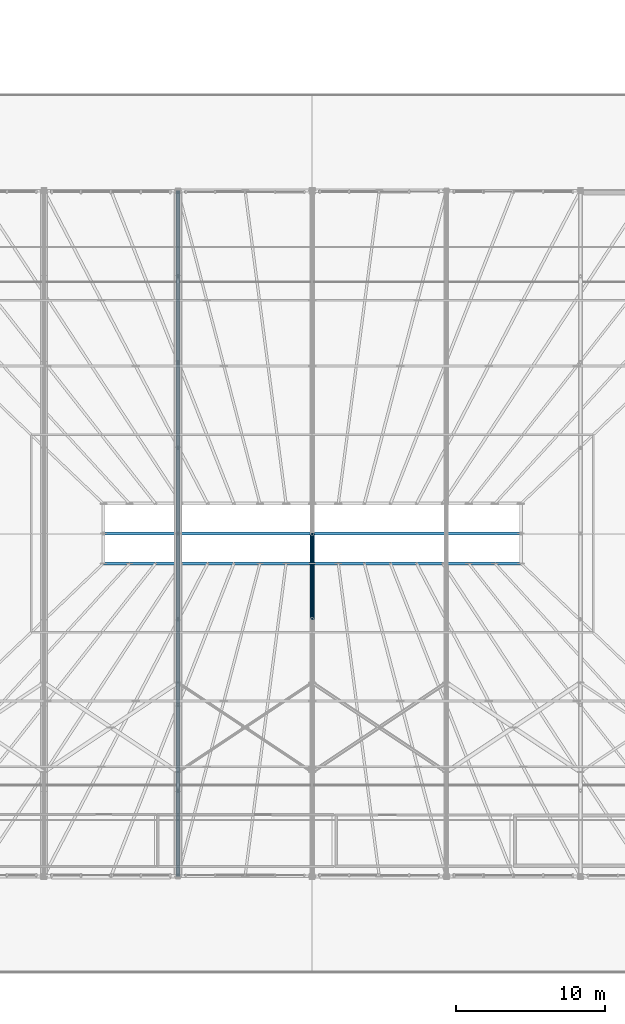
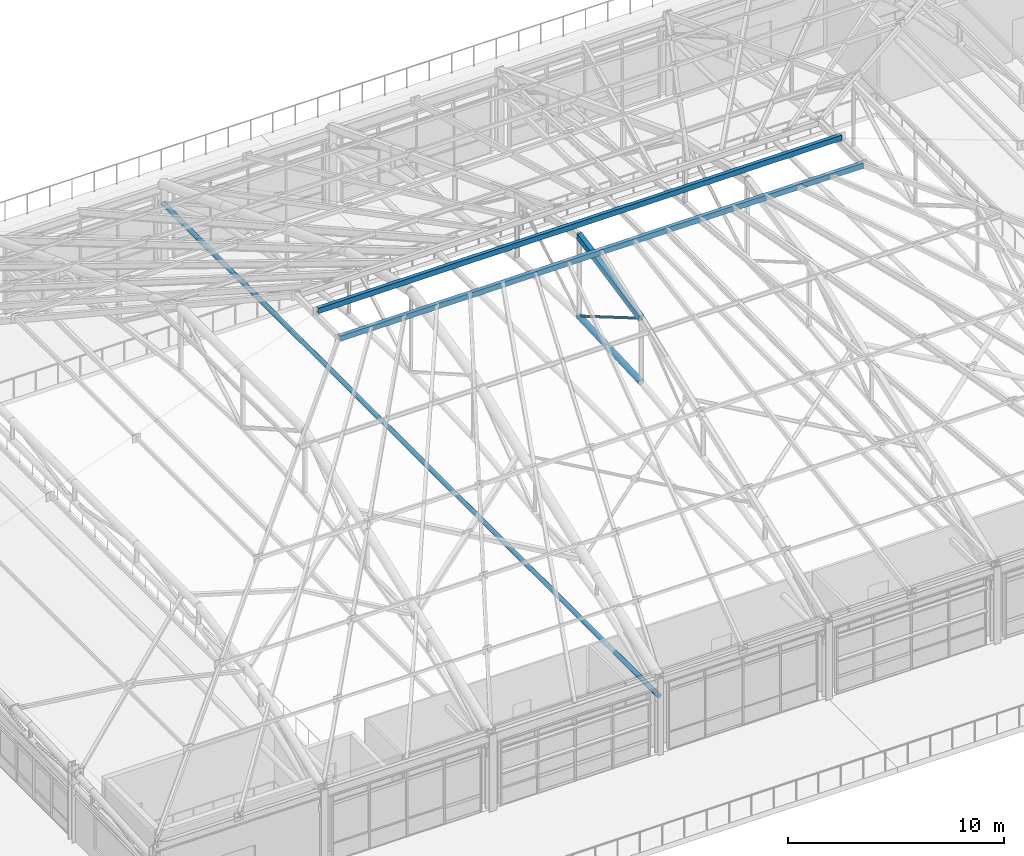
# One storey, part 30 of 168: 3 beams, 3 members.
"""IFC4 building model written with IfcOpenShell, lengths in metres."""

from ifc_helpers import new_model, si_unit, direction, frame, origin, origin_2d, place, context, subcontext, project, spatial, hollow_rectangle, hollow_circle, extrude, material, material_profile, profile_set, type_object, element, save


model = new_model("IFC4")

# Units and contexts
model_context = context("Model", 3, precision=1e-05, world=origin(), true_north=direction((0.0, 1.0)))
body_context = subcontext(model_context, "Body", "Model", "MODEL_VIEW")
ifc_project = project(units=[si_unit("LENGTHUNIT", "METRE"), si_unit("AREAUNIT", "SQUARE_METRE"), si_unit("VOLUMEUNIT", "CUBIC_METRE"), si_unit("PLANEANGLEUNIT", "RADIAN"), si_unit("MASSUNIT", "GRAM", prefix="KILO"), si_unit("THERMODYNAMICTEMPERATUREUNIT", "KELVIN"), si_unit("POWERUNIT", "WATT")], contexts=[model_context])

# Site, building, storey
site_placement = place(None, origin())
site = spatial("IfcSite", under=ifc_project, at=site_placement, CompositionType="ELEMENT")
building_placement = place(site_placement, origin())
building = spatial("IfcBuilding", under=site, at=building_placement, Name="Tepalcoro Natatorium and Aquatics Centre", CompositionType="ELEMENT")
storey_placement = place(building_placement, frame((0.0, 0.0, 10.199951171875)))
storey = spatial("IfcBuildingStorey", under=building, at=storey_placement, Name="L02", CompositionType="ELEMENT", Elevation=10.199951171875)

# Beams
ifc_material = material(Name="Terracotta Painted Hollow Steel ASTM A500 Grade C (Fy 345 MPa)", Category="masonry")
ifc_material_profile_1 = material_profile(ifc_material, hollow_rectangle(XDim=0.199951171875, YDim=0.300048828125, WallThickness=0.013916015625, at=origin_2d()), Name="HSS300X200X14")
ifc_profile_set_1 = profile_set([ifc_material_profile_1], Name="Terracotta Painted Hollow Steel ASTM A500 Grade C (Fy 345 MPa)")
beam_type_1 = type_object("IfcBeamType", Name="AC_HSS300x200x14", PredefinedType="USERDEFINED", material=ifc_profile_set_1)
for number, where, z_axis, x_axis, name in (
    (1, (75.0, 34.0, 12.525146484375), (1.0, 0.0, 0.0), (0.0, 1.0, 0.0), "Pyramid Lantern Ring Chord S"),
    (2, (75.0, 36.0, 12.89013671875), (1.0, 0.0, 0.0), (0.0, 1.0, 0.0), "Pyramid Lantern Ring Chord APEX"),
):
    element("IfcBeam", number, at=place(storey_placement, frame(where, z_axis=z_axis, x_axis=x_axis)), inside=storey, type_object=beam_type_1, Name=name, ObjectType="ARCH CHORD", PredefinedType="USERDEFINED", context=body_context, shape_type="SweptSolid", body=[
        extrude(hollow_rectangle(XDim=0.199951171875, YDim=0.300048828125, WallThickness=0.013916015625, at=origin_2d()), origin(), (0.0, 0.0, 1.0), 28.0),
    ])
ifc_material_profile_2 = material_profile(ifc_material, hollow_rectangle(XDim=0.25, YDim=0.35009765625, WallThickness=0.01611328125, at=origin_2d()), Name="HSS350X250X16")
ifc_profile_set_2 = profile_set([ifc_material_profile_2], Name="Terracotta Painted Hollow Steel ASTM A500 Grade C (Fy 345 MPa)")
beam_type_2 = type_object("IfcBeamType", Name="AC_HSS350x250x16", PredefinedType="USERDEFINED", material=ifc_profile_set_2)
beam_placement = place(storey_placement, frame((89.0, 30.25, 11.012939453125), z_axis=(0.0, 0.979349653083, 0.202173828689), x_axis=(-1.0, 0.0, 0.0)))
element("IfcBeam", 3, at=beam_placement, inside=storey, type_object=beam_type_2, Name="V1 Arched Truss Top Chord 5", ObjectType="ARCH CHORD", PredefinedType="USERDEFINED", context=body_context, shape_type="SweptSolid", body=[
    extrude(hollow_rectangle(XDim=0.25, YDim=0.35009765625, WallThickness=0.01611328125, at=origin_2d()), origin(), (0.0, 0.0, 1.0), 5.871337890625),
])

# Members
ifc_material_profile_3 = material_profile(ifc_material, hollow_circle(Radius=0.1220703125, WallThickness=0.01611328125, at=origin_2d()), Name="CHS244X16")
ifc_profile_set_3 = profile_set([ifc_material_profile_3], Name="Terracotta Painted Hollow Steel ASTM A500 Grade C (Fy 345 MPa)")
member_type_1 = type_object("IfcMemberType", Name="MB_AT_CHS244x16", PredefinedType="USERDEFINED", material=ifc_profile_set_3)
member_1_placement = place(storey_placement, frame((80.0, 13.0, 3.24609375), z_axis=(0.0, 1.0, 0.0), x_axis=(-1.0, 0.0, 0.0)))
element("IfcMember", 4, at=member_1_placement, inside=storey, type_object=member_type_1, Name="V1 Tied-Arch Tension Tie 4", ObjectType="ARCH TIE", PredefinedType="USERDEFINED", context=body_context, shape_type="SweptSolid", body=[
    extrude(hollow_circle(Radius=0.1220703125, WallThickness=0.01611328125, at=origin_2d()), origin(), (0.0, 0.0, 1.0), 46.0),
])
ifc_material_profile_4 = material_profile(ifc_material, hollow_circle(Radius=0.162109375, WallThickness=0.013916015625, at=origin_2d()), Name="CHS324X14")
ifc_profile_set_4 = profile_set([ifc_material_profile_4], Name="Terracotta Painted Hollow Steel ASTM A500 Grade C (Fy 345 MPa)")
member_type_2 = type_object("IfcMemberType", Name="MB_CH_CHS324x14", PredefinedType="CHORD", material=ifc_profile_set_4)
member_2_placement = place(storey_placement, frame((89.0, 30.25, 7.403076171875), z_axis=(0.0, 0.999078119626, 0.042929137953), x_axis=(-1.0, 0.0, 0.0)))
element("IfcMember", 5, at=member_2_placement, inside=storey, type_object=member_type_2, Name="V1 Arched Truss Bottom Chord 5", PredefinedType="CHORD", context=body_context, shape_type="SweptSolid", body=[
    extrude(hollow_circle(Radius=0.162109375, WallThickness=0.013916015625, at=origin_2d()), origin(), (0.0, 0.0, 1.0), 5.75537109375),
])
ifc_material_profile_5 = material_profile(ifc_material, hollow_circle(Radius=0.070068359375, WallThickness=0.008056640625, at=origin_2d()), Name="CHS140X8")
ifc_profile_set_5 = profile_set([ifc_material_profile_5], Name="Terracotta Painted Hollow Steel ASTM A500 Grade C (Fy 345 MPa)")
member_type_3 = type_object("IfcMemberType", Name="MB_ST_CHS140x8", PredefinedType="STRUT", material=ifc_profile_set_5)
member_3_placement = place(storey_placement, frame((89.0, 30.25, 11.012939453125), z_axis=(0.0, 0.863214725894, -0.504836941001), x_axis=(-1.0, 0.0, 0.0)))
element("IfcMember", 6, at=member_3_placement, inside=storey, type_object=member_type_3, Name="V1 Arched Truss Web Diagonal 5", PredefinedType="STRUT", context=body_context, shape_type="SweptSolid", body=[
    extrude(hollow_circle(Radius=0.070068359375, WallThickness=0.008056640625, at=origin_2d()), origin(), (0.0, 0.0, 1.0), 6.6611328125),
])

save(model, "model.ifc")
